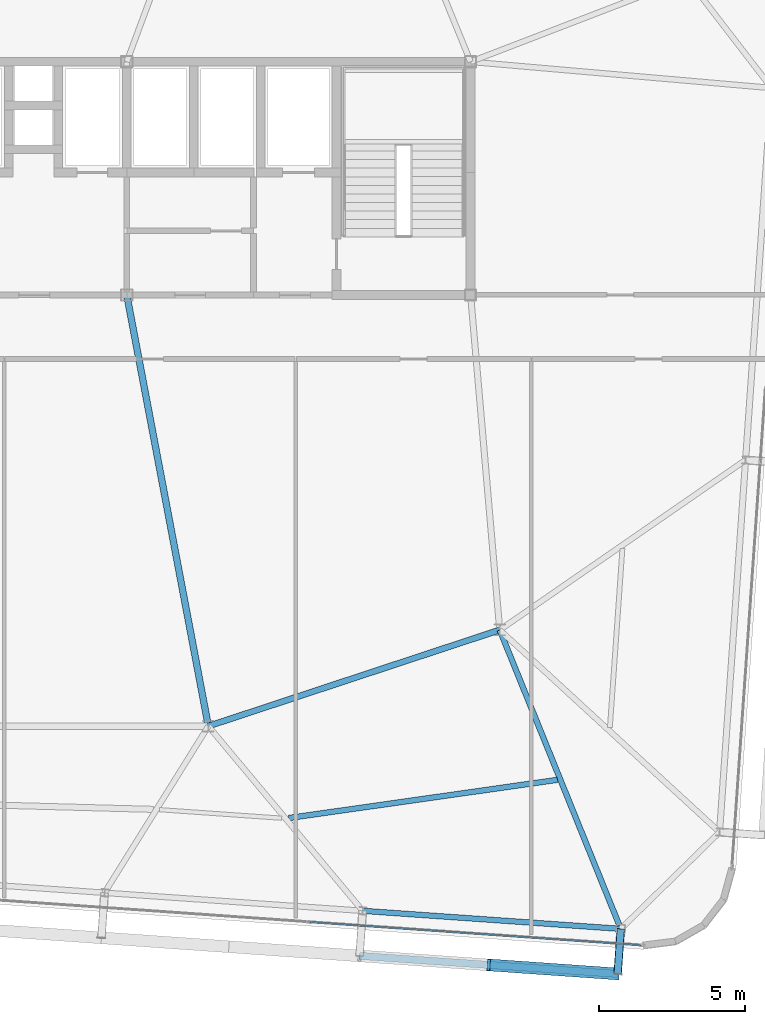
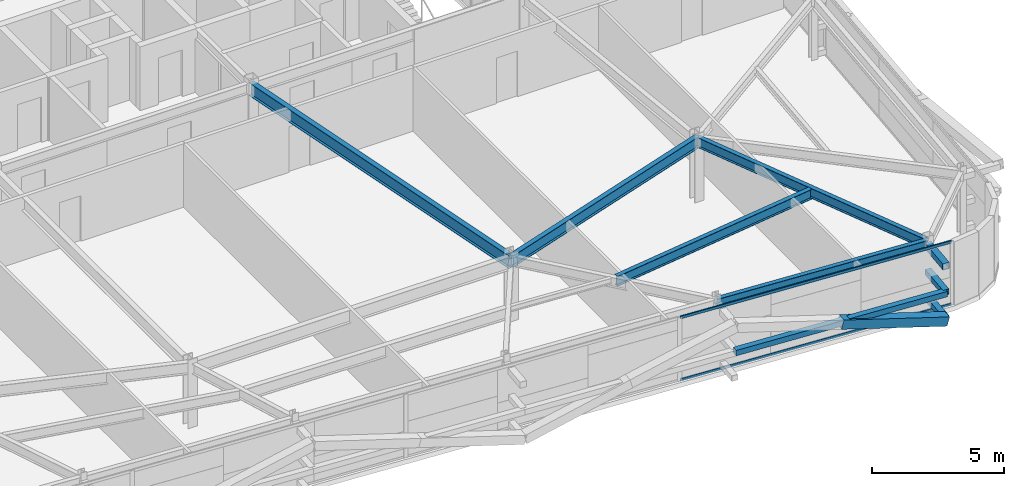
# One storey, part 14 of 39: 7 members, 5 beams, 1 element without a shape of its own.
"""IFC4 building model written with IfcOpenShell, lengths in metres."""

from ifc_helpers import new_model, si_unit, direction, frame, origin, origin_2d, place, context, subcontext, project, spatial, hollow_rectangle, i_section, extrude, source, transform, mapped, material, layer, layer_set, material_profile, profile_set, type_object, element, aggregate, save


model = new_model("IFC4")

# Units and contexts
model_context = context("Model", 3, precision=1e-05, world=origin(), true_north=direction((0.0, 1.0)))
body_context = subcontext(model_context, "Body", "Model", "MODEL_VIEW")
ifc_project = project(units=[si_unit("LENGTHUNIT", "METRE"), si_unit("AREAUNIT", "SQUARE_METRE"), si_unit("VOLUMEUNIT", "CUBIC_METRE"), si_unit("PLANEANGLEUNIT", "RADIAN"), si_unit("MASSUNIT", "GRAM", prefix="KILO")], contexts=[model_context])

# Site, building, storey
site_placement = place(None, origin())
site = spatial("IfcSite", under=ifc_project, at=site_placement, CompositionType="ELEMENT")
building_placement = place(site_placement, origin())
building = spatial("IfcBuilding", under=site, at=building_placement, Name="Taldren Reach Tower", CompositionType="ELEMENT")
storey_placement = place(building_placement, frame((0.0, 0.0, 148.75)))
storey = spatial("IfcBuildingStorey", under=building, at=storey_placement, Name="L45", CompositionType="ELEMENT", Elevation=148.75)

# Beams
ifc_material_1 = material(Name="Steel Gr 350 (350PLUS)", Category="steel")
ifc_material_profile_1 = material_profile(ifc_material_1, i_section(OverallWidth=0.208984375, OverallDepth=0.532958984375, WebThickness=0.01025390625, FlangeThickness=0.015625, at=origin_2d()), Name="530UB92.4")
ifc_profile_set_1 = profile_set([ifc_material_profile_1], Name="Steel Gr 350 (350PLUS)")
beam_type_1 = type_object("IfcBeamType", Name="BM-UB530A", PredefinedType="BEAM", material=ifc_profile_set_1)
shared_shape_1 = source(origin(), body_context, "Body", "SweptSolid", [
    extrude(i_section(OverallWidth=0.208984375, OverallDepth=0.532958984375, WebThickness=0.01025390625, FlangeThickness=0.015625, at=origin_2d()), origin(), (0.0, 0.0, 1.0), 10.530517578125),
])
beam_1_placement = place(storey_placement, frame((42.0, 9.199951171875, 2.66357421875), z_axis=(0.949627269203, 0.313381635689, 0.0), x_axis=(-0.313381635689, 0.949627269203, 0.0)))
element("IfcBeam", 1, at=beam_1_placement, inside=storey, type_object=beam_type_1, Name="Core-spine girder L45-SP12", PredefinedType="BEAM", context=body_context, shape_type="MappedRepresentation", body=[
    mapped(shared_shape_1, transform((0.0, 0.0, 0.0), scale=1.0)),
])
ifc_material_profile_2 = material_profile(ifc_material_1, i_section(OverallWidth=0.22802734375, OverallDepth=0.60205078125, WebThickness=0.010498046875, FlangeThickness=0.014892578125, at=origin_2d()), Name="610UB101")
ifc_profile_set_2 = profile_set([ifc_material_profile_2], Name="Steel Gr 350 (350PLUS)")
beam_type_2 = type_object("IfcBeamType", Name="BM-UB610B", PredefinedType="BEAM", material=ifc_profile_set_2)
shared_shape_2 = source(origin(), body_context, "Body", "SweptSolid", [
    extrude(i_section(OverallWidth=0.22802734375, OverallDepth=0.60205078125, WebThickness=0.010498046875, FlangeThickness=0.014892578125, at=origin_2d()), origin(), (0.0, 0.0, 1.0), 15.0625),
])
beam_2_placement = place(storey_placement, frame((39.199951171875, 24.0, 2.62890625), z_axis=(0.185894205668, -0.982569765614, 0.0), x_axis=(0.982569765614, 0.185894205668, 0.0)))
element("IfcBeam", 2, at=beam_2_placement, inside=storey, type_object=beam_type_2, Name="Core-spine girder L45-SP15", PredefinedType="BEAM", context=body_context, shape_type="MappedRepresentation", body=[
    mapped(shared_shape_2, transform((0.0, 0.0, 0.0), scale=1.0)),
])

# Members
ifc_material_2 = material(Name="Steel Gr 450 (C450L0)", Category="steel")
ifc_material_profile_3 = material_profile(ifc_material_2, hollow_rectangle(XDim=0.27490234375, YDim=0.27490234375, WallThickness=0.00927734375, at=origin_2d()), Name="275x275x9.3SHS")
ifc_profile_set_3 = profile_set([ifc_material_profile_3], Name="Steel Gr 450 (C450L0)")
member_type_1 = type_object("IfcMemberType", Name="MB-TIE273", PredefinedType="STRUT", material=ifc_profile_set_3)
shared_shape_3 = source(origin(), body_context, "Body", "SweptSolid", [
    extrude(hollow_rectangle(XDim=0.27490234375, YDim=0.27490234375, WallThickness=0.00927734375, at=origin_2d()), origin(), (0.0, 0.0, 1.0), 1.5498046875),
])
member_1_placement = place(storey_placement, frame((56.155517578125, 2.2412109375, 2.64990234375), z_axis=(-0.069780535098, -0.997562367434, 0.0), x_axis=(0.997562367434, -0.069780535098, 0.0)))
element("IfcMember", 3, at=member_1_placement, inside=storey, type_object=member_type_1, Name="Exoskeleton diaphragm tie strut B3-S6 L45", PredefinedType="STRUT", context=body_context, shape_type="MappedRepresentation", body=[
    mapped(shared_shape_3, transform((0.0, 0.0, 0.0), scale=1.0)),
])
ifc_material_3 = material(Name="Steel Gr 350 (C350L0)", Category="steel")
ifc_material_profile_4 = material_profile(ifc_material_3, hollow_rectangle(XDim=0.25, YDim=0.25, WallThickness=0.010009765625, at=origin_2d()), Name="250x250x10.0SHS")
ifc_profile_set_4 = profile_set([ifc_material_profile_4], Name="Steel Gr 350 (C350L0)")
member_type_2 = type_object("IfcMemberType", Name="MB-POST250", PredefinedType="POST", material=ifc_profile_set_4)
shared_shape_4 = source(origin(), body_context, "Body", "SweptSolid", [
    extrude(hollow_rectangle(XDim=0.25, YDim=0.25, WallThickness=0.010009765625, at=origin_2d()), origin(), (0.0, 0.0, 1.0), 1.5498046875),
])
for number, where, z_axis, x_axis, name in (
    (4, (56.155517578125, 2.2412109375, 0.219970703125), (-0.069780535098, -0.997562367434, 0.0), (0.997562367434, -0.069780535098, 0.0), "Exoskeleton base diaphragm tie strut B3-S6 L45"),
    (5, (56.155517578125, 2.2412109375, 1.43505859375), (-0.069780535098, -0.997562367434, 0.0), (0.997562367434, -0.069780535098, 0.0), "Exoskeleton mid-tier diaphragm tie B3-S6 L45"),
):
    element("IfcMember", number, at=place(storey_placement, frame(where, z_axis=z_axis, x_axis=x_axis)), inside=storey, type_object=member_type_2, Name=name, PredefinedType="POST", context=body_context, shape_type="MappedRepresentation", body=[
        mapped(shared_shape_4, transform((0.0, 0.0, 0.0), scale=1.0)),
    ])

# Beams
ifc_material_profile_5 = material_profile(ifc_material_1, i_section(OverallWidth=0.18994140625, OverallDepth=0.4541015625, WebThickness=0.008544921875, FlangeThickness=0.0126953125, at=origin_2d()), Name="460UB67.1")
ifc_profile_set_5 = profile_set([ifc_material_profile_5], Name="Steel Gr 350 (350PLUS)")
beam_type_3 = type_object("IfcBeamType", Name="SP-UB460B", PredefinedType="SPANDREL", material=ifc_profile_set_5)
shared_shape_5 = source(origin(), body_context, "Body", "SweptSolid", [
    extrude(i_section(OverallWidth=0.18994140625, OverallDepth=0.4541015625, WebThickness=0.008544921875, FlangeThickness=0.0126953125, at=origin_2d()), origin(), (0.0, 0.0, 1.0), 8.880126953125),
])
beam_3_placement = place(storey_placement, frame((47.297119140625, 2.860595703125, 2.702880859375), z_axis=(0.997564479639, -0.069750333063, 0.0), x_axis=(0.069750333063, 0.997564479639, 0.0)))
element("IfcBeam", 6, at=beam_3_placement, inside=storey, type_object=beam_type_3, Name="Perimeter spandrel B3 S5-S6 L45", PredefinedType="SPANDREL", context=body_context, shape_type="MappedRepresentation", body=[
    mapped(shared_shape_5, transform((0.0, 0.0, 0.0), scale=1.0)),
])
ifc_material_profile_6 = material_profile(ifc_material_1, i_section(OverallWidth=0.19091796875, OverallDepth=0.4599609375, WebThickness=0.010009765625, FlangeThickness=0.01611328125, at=origin_2d()), Name="460UB82.1")
ifc_profile_set_6 = profile_set([ifc_material_profile_6], Name="Steel Gr 350 (350PLUS)")
beam_type_4 = type_object("IfcBeamType", Name="BM-UB460A", PredefinedType="BEAM", material=ifc_profile_set_6)
shared_shape_6 = source(origin(), body_context, "Body", "SweptSolid", [
    extrude(i_section(OverallWidth=0.19091796875, OverallDepth=0.4599609375, WebThickness=0.010009765625, FlangeThickness=0.01611328125, at=origin_2d()), origin(), (0.0, 0.0, 1.0), 11.068359375),
])
beam_4_placement = place(storey_placement, frame((52.0, 12.5, 2.699951171875), z_axis=(0.375437319636, -0.92684778633, 0.0), x_axis=(0.92684778633, 0.375437319636, 0.0)))
element("IfcBeam", 7, at=beam_4_placement, inside=storey, type_object=beam_type_4, Name="Primary floor girder B3-S6 L45", PredefinedType="BEAM", context=body_context, shape_type="MappedRepresentation", body=[
    mapped(shared_shape_6, transform((0.0, 0.0, 0.0), scale=1.0)),
])
shared_shape_7 = source(origin(), body_context, "Body", "SweptSolid", [
    extrude(i_section(OverallWidth=0.19091796875, OverallDepth=0.4599609375, WebThickness=0.010009765625, FlangeThickness=0.01611328125, at=origin_2d()), origin(), (0.0, 0.0, 1.0), 9.313232421875),
])
beam_5_placement = place(storey_placement, frame((44.759765625, 6.046142578125, 2.699951171875), z_axis=(0.990049385514, 0.140720340547, 0.0), x_axis=(-0.140720340547, 0.990049385514, 0.0)))
element("IfcBeam", 8, at=beam_5_placement, inside=storey, type_object=beam_type_4, Name="Secondary floor beam B3 J5 L45", PredefinedType="BEAM", context=body_context, shape_type="MappedRepresentation", body=[
    mapped(shared_shape_7, transform((0.0, 0.0, 0.0), scale=1.0)),
])

# Members
shared_shape_8 = source(origin(), body_context, "Body", "SweptSolid", [
    extrude(hollow_rectangle(XDim=0.25, YDim=0.25, WallThickness=0.010009765625, at=origin_2d()), origin(), (0.0, 0.0, 1.0), 8.880126953125),
])
member_2_placement = place(storey_placement, frame((47.18896484375, 1.314453125, 1.43505859375), z_axis=(0.997564479639, -0.069750333063, 0.0), x_axis=(0.069750333063, 0.997564479639, 0.0)))
element("IfcMember", 9, at=member_2_placement, inside=storey, type_object=member_type_2, Name="Exoskeleton mid-height ring chord B3-S5 L45", PredefinedType="POST", context=body_context, shape_type="MappedRepresentation", body=[
    mapped(shared_shape_8, transform((0.0, 0.0, 0.0), scale=1.0)),
])
ifc_material_profile_7 = material_profile(ifc_material_2, hollow_rectangle(XDim=0.409912109375, YDim=0.409912109375, WallThickness=0.01611328125, at=origin_2d()), Name="410x410x16.0SHS")
ifc_profile_set_7 = profile_set([ifc_material_profile_7], Name="Steel Gr 450 (C450L0)")
member_type_3 = type_object("IfcMemberType", Name="MB-EXO406", PredefinedType="BRACE", material=ifc_profile_set_7)
shared_shape_9 = source(origin(), body_context, "Body", "SweptSolid", [
    extrude(hollow_rectangle(XDim=0.409912109375, YDim=0.409912109375, WallThickness=0.01611328125, at=origin_2d()), origin(), (0.0, 0.0, 1.0), 4.603271484375),
])
member_3_placement = place(storey_placement, frame((56.04736328125, 0.695068359375, 0.219970703125), z_axis=(-0.962185784239, 0.067250114343, 0.263962002434), x_axis=(-0.069722973508, -0.997566392259, 0.0)))
element("IfcMember", 10, at=member_3_placement, inside=storey, type_object=member_type_3, Name="Exoskeleton Diagrid Brace B3-S5 L45", PredefinedType="BRACE", context=body_context, shape_type="MappedRepresentation", body=[
    mapped(shared_shape_9, transform((0.0, 0.0, 0.0), scale=1.0)),
])

# Curtain wall, members
ifc_material_4 = material(Name="Aluminium and Low-E Glass Unitised System", Category="aluminium")
ifc_layer = layer(ifc_material_4, 0.159912109375)
ifc_layer_set = layer_set([ifc_layer], Name="Aluminium and Low-E Glass Unitised System")
curtain_wall_type = type_object("IfcCurtainWallType", Name="CW-SYS-4", PredefinedType="NOTDEFINED", material=ifc_layer_set)
curtain_wall_placement = place(storey_placement, origin())
curtain_wall = element("IfcCurtainWall", 11, at=curtain_wall_placement, inside=storey, type_object=curtain_wall_type, Name="Unitised curtain wall CW-L45-S", PredefinedType="NOTDEFINED")
ifc_material_5 = material(Name="Anodised Aluminium 6063-T6", Category="aluminium")
ifc_material_profile_8 = material_profile(ifc_material_5, hollow_rectangle(XDim=0.054931640625, YDim=0.1201171875, WallThickness=0.0029296875, at=origin_2d()), Name="ALU-120x55x3RHS")
ifc_profile_set_8 = profile_set([ifc_material_profile_8], Name="Anodised Aluminium 6063-T6")
member_type_4 = type_object("IfcMemberType", Name="CW-TRN-135", PredefinedType="USERDEFINED", material=ifc_profile_set_8)
shared_shape_10 = source(origin(), body_context, "Body", "SweptSolid", [
    extrude(hollow_rectangle(XDim=0.054931640625, YDim=0.1201171875, WallThickness=0.0029296875, at=origin_2d()), origin(), (0.0, 0.0, 1.0), 11.395263671875),
])
member_4_placement = place(storey_placement, frame((45.480712890625, 2.476318359375, 0.027587890625), z_axis=(0.997565335668, -0.069738089122, 0.0), x_axis=(0.069738089122, 0.997565335668, 0.0)))
member_4 = element("IfcMember", 12, at=member_4_placement, type_object=member_type_4, Name="CW-4 transom 4.1", ObjectType="TRANSOM", PredefinedType="USERDEFINED", context=body_context, shape_type="MappedRepresentation", body=[
    mapped(shared_shape_10, transform((0.0, 0.0, 0.0), scale=1.0)),
])
member_5_placement = place(storey_placement, frame((45.480712890625, 2.476318359375, 2.902587890625), z_axis=(0.997565335668, -0.069738089122, 0.0), x_axis=(0.069738089122, 0.997565335668, 0.0)))
member_5 = element("IfcMember", 13, at=member_5_placement, type_object=member_type_4, Name="CW-4 transom 4.2", ObjectType="TRANSOM", PredefinedType="USERDEFINED", context=body_context, shape_type="MappedRepresentation", body=[
    mapped(shared_shape_10, transform((0.0, 0.0, 0.0), scale=1.0)),
])
aggregate(curtain_wall, [member_4, member_5])

save(model, "model.ifc")
